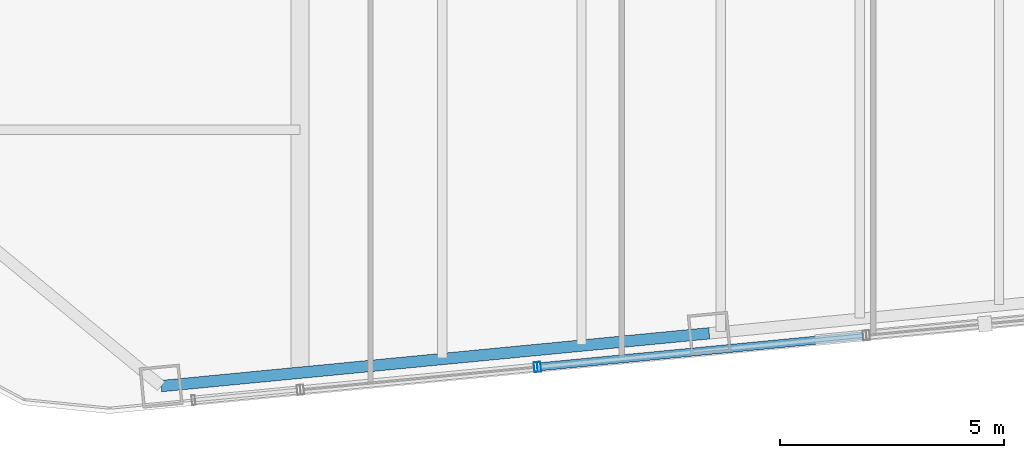
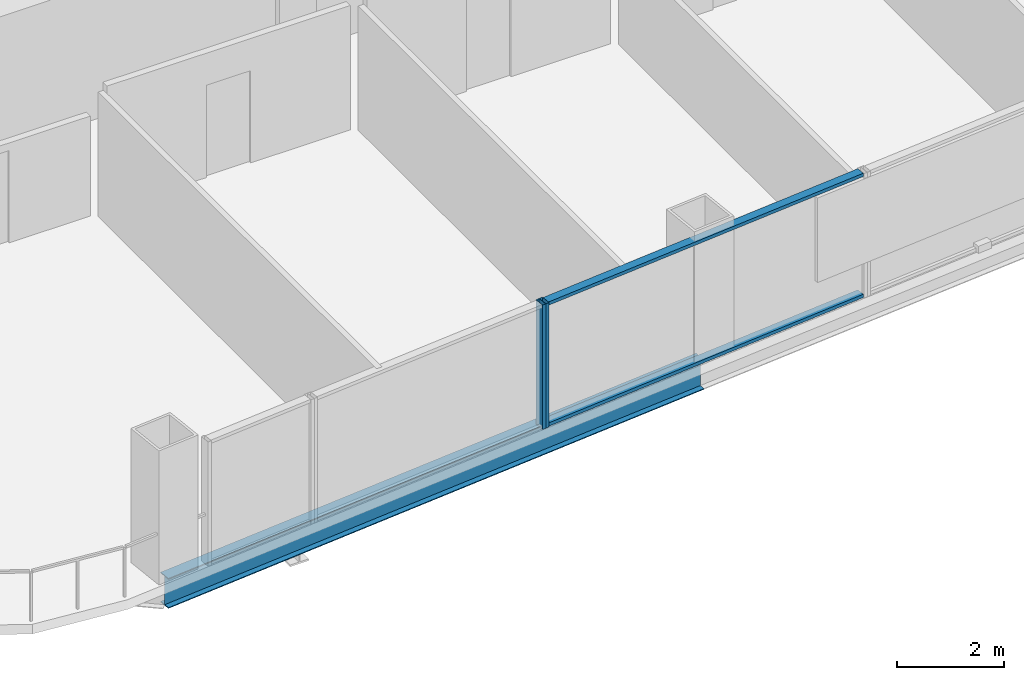
# One storey, part 4 of 27: 4 members, 1 beam, 2 elements without a shape of their own.
"""IFC4 building model written with IfcOpenShell, lengths in metres."""

from ifc_helpers import new_model, si_unit, direction, frame, origin, origin_2d, place, context, subcontext, project, spatial, hollow_rectangle, i_section, extrude, material, layer, layer_set, material_profile, profile_set, type_object, element, aggregate, save


model = new_model("IFC4")

# Units and contexts
model_context = context("Model", 3, precision=1e-05, world=origin(), true_north=direction((0.0, 1.0)))
body_context = subcontext(model_context, "Body", "Model", "MODEL_VIEW")
ifc_project = project(units=[si_unit("LENGTHUNIT", "METRE"), si_unit("AREAUNIT", "SQUARE_METRE"), si_unit("VOLUMEUNIT", "CUBIC_METRE"), si_unit("PLANEANGLEUNIT", "RADIAN"), si_unit("MASSUNIT", "GRAM", prefix="KILO")], contexts=[model_context])

# Site, building, storey
site_placement = place(None, origin())
site = spatial("IfcSite", under=ifc_project, at=site_placement, CompositionType="ELEMENT")
building_placement = place(site_placement, origin())
building = spatial("IfcBuilding", under=site, at=building_placement, Name="Qhalaya Broadcast Tower", CompositionType="ELEMENT")
storey_placement = place(building_placement, frame((0.0, 0.0, 84.699951171875)))
storey = spatial("IfcBuildingStorey", under=building, at=storey_placement, Name="L24", CompositionType="ELEMENT", Elevation=84.699951171875)

# Beam
ifc_material_1 = material(Name="Structural Steel ASTM A992 Grade 50", Category="steel")
ifc_material_profile_1 = material_profile(ifc_material_1, i_section(OverallWidth=0.25390625, OverallDepth=0.68310546875, WebThickness=0.012451171875, FlangeThickness=0.01904296875, at=origin_2d()), Name="W27X94")
ifc_profile_set_1 = profile_set([ifc_material_profile_1], Name="Structural Steel ASTM A992 Grade 50")
beam_type = type_object("IfcBeamType", Name="Perimeter Ring Spandrel Beam SP1", PredefinedType="SPANDREL", material=ifc_profile_set_1)
beam_placement = place(storey_placement, frame((-12.46533203125, -22.212646484375, -0.5615234375), z_axis=(0.99539563662, 0.095851586307, 0.0), x_axis=(-0.095851586307, 0.99539563662, 0.0)))
element("IfcBeam", 1, at=beam_placement, inside=storey, type_object=beam_type, Name="L24 SP1 L24-SPR-01", PredefinedType="SPANDREL", context=body_context, shape_type="SweptSolid", body=[
    extrude(i_section(OverallWidth=0.25390625, OverallDepth=0.68310546875, WebThickness=0.012451171875, FlangeThickness=0.01904296875, at=origin_2d()), origin(), (0.0, 0.0, 1.0), 12.2666015625),
])

# Curtain wall, member
ifc_material_2 = material(Name="Solar-Control Low-E Triple Glazing", Category="glass")
ifc_layer_1 = layer(ifc_material_2, 0.219970703125, Name="Solar-Control Low-E Triple Glazing")
ifc_layer_set_1 = layer_set([ifc_layer_1], Name="Solar-Control Low-E Triple Glazing")
curtain_wall_type_1 = type_object("IfcCurtainWallType", Name="Even-Block 4-Storey Double-Module Curtain Wall CW-03", PredefinedType="NOTDEFINED", material=ifc_layer_set_1)
curtain_wall_1_placement = place(storey_placement, origin())
curtain_wall_1 = element("IfcCurtainWall", 2, at=curtain_wall_1_placement, inside=storey, type_object=curtain_wall_type_1, Name="L24 Unitised Curtain Wall L24-CW-S2", PredefinedType="NOTDEFINED")
ifc_material_3 = material(Name="Anodised Aluminium 6063-T6", Category="aluminium")
ifc_material_profile_2 = material_profile(ifc_material_3, hollow_rectangle(XDim=0.074951171875, YDim=0.219970703125, WallThickness=0.00390625, at=origin_2d()), Name="ALU-MUL 75x220x4")
ifc_profile_set_2 = profile_set([ifc_material_profile_2], Name="Anodised Aluminium 6063-T6")
member_type_1 = type_object("IfcMemberType", Name="Unitised Curtain-Wall Mullion M01", PredefinedType="MULLION", material=ifc_profile_set_2)
member_1_placement = place(storey_placement, frame((-4.118896484375, -21.790771484375, 0.0), z_axis=(0.0, 0.0, 1.0), x_axis=(0.995395549991, 0.095852485923, 0.0)))
member_1 = element("IfcMember", 3, at=member_1_placement, type_object=member_type_1, Name="CW-03 mullion 2", PredefinedType="MULLION", context=body_context, shape_type="SweptSolid", body=[
    extrude(hollow_rectangle(XDim=0.074951171875, YDim=0.219970703125, WallThickness=0.00390625, at=origin_2d()), origin(), (0.0, 0.0, 1.0), 2.830078125),
])
aggregate(curtain_wall_1, [member_1])

# Curtain wall, members
ifc_material_4 = material(Name="Fired Architectural Terracotta", Category="masonry")
ifc_layer_2 = layer(ifc_material_4, 0.219970703125, Name="Fired Architectural Terracotta")
ifc_layer_set_2 = layer_set([ifc_layer_2], Name="Fired Architectural Terracotta")
curtain_wall_type_2 = type_object("IfcCurtainWallType", Name="Block-Cap Unitised Terracotta Spandrel Wall CW-07", PredefinedType="NOTDEFINED", material=ifc_layer_set_2)
curtain_wall_2_placement = place(storey_placement, origin())
curtain_wall_2 = element("IfcCurtainWall", 4, at=curtain_wall_2_placement, inside=storey, type_object=curtain_wall_type_2, Name="L24 Unitised Curtain Wall L24-CW-S3", PredefinedType="NOTDEFINED")
member_2_placement = place(storey_placement, frame((-4.044189453125, -21.783447265625, 0.0), z_axis=(0.0, 0.0, 1.0), x_axis=(0.995396450907, 0.095843129762, 0.0)))
member_2 = element("IfcMember", 5, at=member_2_placement, type_object=member_type_1, Name="CW-07 mullion 1", PredefinedType="MULLION", context=body_context, shape_type="SweptSolid", body=[
    extrude(hollow_rectangle(XDim=0.074951171875, YDim=0.219970703125, WallThickness=0.00390625, at=origin_2d()), origin(), (0.0, 0.0, 1.0), 2.830078125),
])
ifc_material_profile_3 = material_profile(ifc_material_3, hollow_rectangle(XDim=0.074951171875, YDim=0.179931640625, WallThickness=0.00390625, at=origin_2d()), Name="ALU-TRN 75x180x4")
ifc_profile_set_3 = profile_set([ifc_material_profile_3], Name="Anodised Aluminium 6063-T6")
member_type_2 = type_object("IfcMemberType", Name="Unitised Curtain-Wall Transom T01", PredefinedType="USERDEFINED", material=ifc_profile_set_3)
member_3_placement = place(storey_placement, frame((-4.0068359375, -21.780029296875, 0.03759765625), z_axis=(0.995395868945, 0.095849173639, 0.0), x_axis=(0.0, 0.0, 1.0)))
member_3 = element("IfcMember", 6, at=member_3_placement, type_object=member_type_2, Name="CW-07 transom 1.1", ObjectType="TRANSOM", PredefinedType="USERDEFINED", context=body_context, shape_type="SweptSolid", body=[
    extrude(hollow_rectangle(XDim=0.074951171875, YDim=0.179931640625, WallThickness=0.00390625, at=origin_2d()), origin(), (0.0, 0.0, 1.0), 7.2109375),
])
member_4_placement = place(storey_placement, frame((-4.0068359375, -21.780029296875, 2.79248046875), z_axis=(0.995395868945, 0.095849173639, 0.0), x_axis=(0.0, 0.0, 1.0)))
member_4 = element("IfcMember", 7, at=member_4_placement, type_object=member_type_2, Name="CW-07 transom 1.2", ObjectType="TRANSOM", PredefinedType="USERDEFINED", context=body_context, shape_type="SweptSolid", body=[
    extrude(hollow_rectangle(XDim=0.074951171875, YDim=0.179931640625, WallThickness=0.00390625, at=origin_2d()), origin(), (0.0, 0.0, 1.0), 7.2109375),
])
aggregate(curtain_wall_2, [member_2, member_3, member_4])

save(model, "model.ifc")
